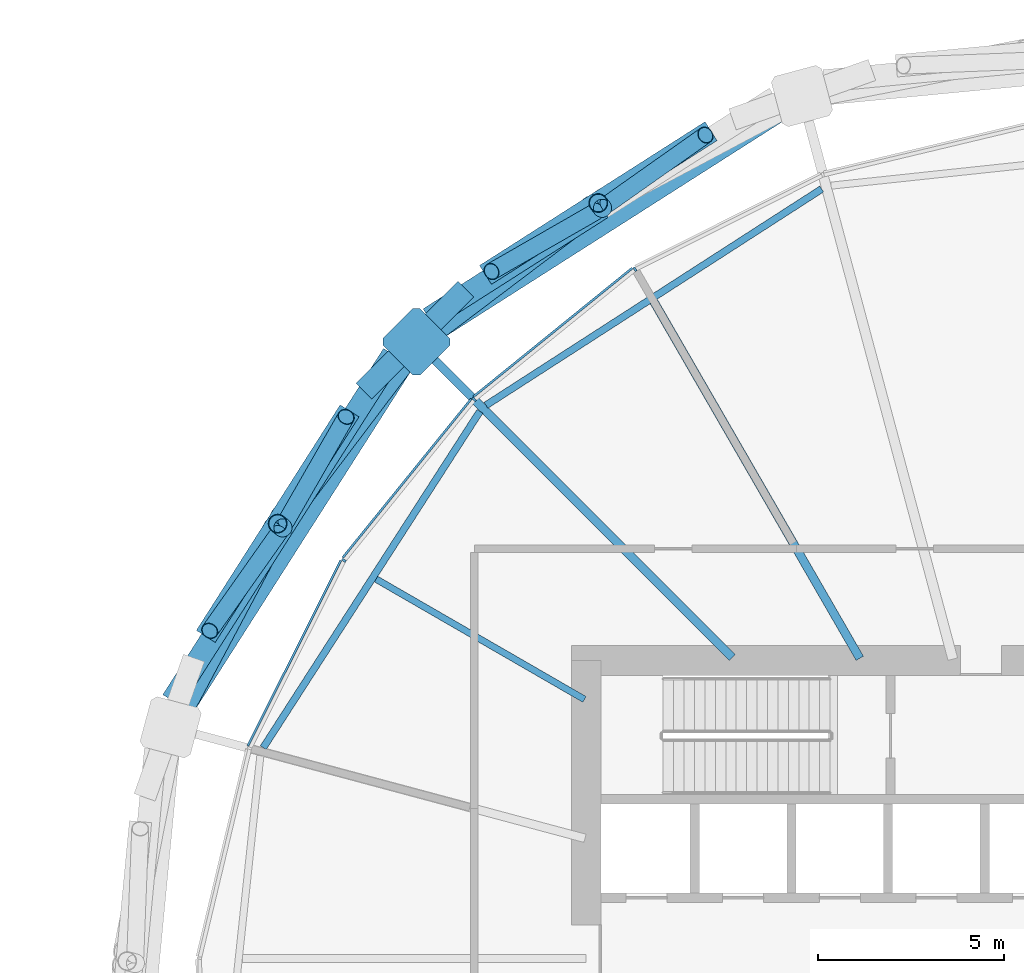
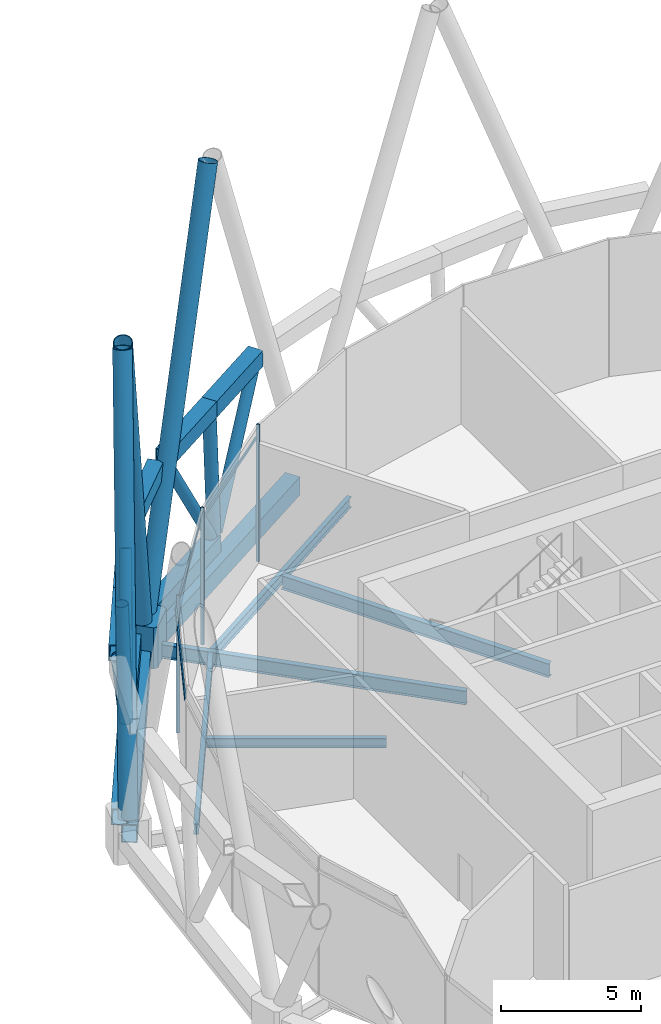
# One storey, part 21 of 33: 24 members, 7 beams, 1 element without a shape of its own.
"""IFC4 building model written with IfcOpenShell, lengths in metres."""

from ifc_helpers import new_model, si_unit, direction, frame, origin, origin_2d, place, context, subcontext, project, spatial, polyline, rectangle, hollow_rectangle, hollow_circle, i_section, outline, extrude, material, material_profile, profile_set, type_object, element, aggregate, save


model = new_model("IFC4")

# Units and contexts
model_context = context("Model", 3, precision=1e-05, world=origin(), true_north=direction((0.0, 1.0)))
body_context = subcontext(model_context, "Body", "Model", "MODEL_VIEW")
ifc_project = project(units=[si_unit("LENGTHUNIT", "METRE"), si_unit("AREAUNIT", "SQUARE_METRE"), si_unit("VOLUMEUNIT", "CUBIC_METRE"), si_unit("PLANEANGLEUNIT", "RADIAN"), si_unit("MASSUNIT", "GRAM", prefix="KILO")], contexts=[model_context])

# Site, building, storey
site_placement = place(None, origin())
site = spatial("IfcSite", under=ifc_project, at=site_placement, CompositionType="ELEMENT")
building_placement = place(site_placement, origin())
building = spatial("IfcBuilding", under=site, at=building_placement, Name="Rimbun Link Towers", CompositionType="ELEMENT")
storey_placement = place(building_placement, frame((0.0, 0.0, 75.60009765625)))
storey = spatial("IfcBuildingStorey", under=building, at=storey_placement, Name="L18", CompositionType="ELEMENT", Elevation=75.60009765625)

# Members
ifc_material_1 = material(Name="Steel S460N", Category="steel")
ifc_material_profile_1 = material_profile(ifc_material_1, hollow_rectangle(XDim=0.60009765625, YDim=0.699951171875, WallThickness=0.034912109375, at=origin_2d()), Name="Belt truss chord BOX 600x700x35")
ifc_profile_set_1 = profile_set([ifc_material_profile_1], Name="Steel S460N")
member_type_1 = type_object("IfcMemberType", Name="Belt truss chord BOX 600x700x35", PredefinedType="CHORD", material=ifc_profile_set_1)
member_1_placement = place(storey_placement, frame((16.5185546875, 17.968505859375, 6.0), z_axis=(-0.707106781187, -0.707106781187, 0.0), x_axis=(0.707106781187, -0.707106781187, 0.0)))
element("IfcMember", 1, at=member_1_placement, inside=storey, type_object=member_type_1, Name="Belt truss chord T2 L18 top 03", PredefinedType="CHORD", context=body_context, shape_type="SweptSolid", body=[
    extrude(hollow_rectangle(XDim=0.60009765625, YDim=0.699951171875, WallThickness=0.034912109375, at=origin_2d()), origin(), (0.0, 0.0, 1.0), 3.870849609375),
])
member_2_placement = place(storey_placement, frame((20.1806640625, 20.15234375, 0.18994140625), z_axis=(-0.843258306899, -0.537508537463, 0.0), x_axis=(0.537508537463, -0.843258306899, 0.0)))
element("IfcMember", 2, at=member_2_placement, inside=storey, type_object=member_type_1, Name="Belt truss chord T2 L18 bottom 05", PredefinedType="CHORD", context=body_context, shape_type="SweptSolid", body=[
    extrude(hollow_rectangle(XDim=0.60009765625, YDim=0.699951171875, WallThickness=0.034912109375, at=origin_2d()), origin(), (0.0, 0.0, 1.0), 5.513671875),
])
for number, where, z_axis, x_axis, name in (
    (3, (23.10400390625, 22.21484375, 6.0), (-0.843244145842, -0.537530753077, 0.0), (0.537530753077, -0.843244145842, 0.0), "Belt truss chord T2 L18 top 16"),
    (4, (20.07568359375, 20.284423828125, 6.0), (-0.843244145842, -0.537530753077, 0.0), (0.537530753077, -0.843244145842, 0.0), "Belt truss chord T2 L18 top 17"),
):
    element("IfcMember", number, at=place(storey_placement, frame(where, z_axis=z_axis, x_axis=x_axis)), inside=storey, type_object=member_type_1, Name=name, PredefinedType="CHORD", context=body_context, shape_type="SweptSolid", body=[
        extrude(hollow_rectangle(XDim=0.60009765625, YDim=0.699951171875, WallThickness=0.034912109375, at=origin_2d()), origin(), (0.0, 0.0, 1.0), 3.59130859375),
    ])
for number, where, z_axis, x_axis, name in (
    (5, (14.561279296875, 16.21875, 0.18994140625), (-0.537508537463, -0.843258306899, 0.0), (0.843258306899, -0.537508537463, 0.0), "Belt truss chord T2 L18 bottom 06"),
    (6, (11.59765625, 11.5693359375, 0.18994140625), (-0.537560093657, -0.843225441805, 0.0), (0.843225441805, -0.537560093657, 0.0), "Belt truss chord T2 L18 bottom 07"),
):
    element("IfcMember", number, at=place(storey_placement, frame(where, z_axis=z_axis, x_axis=x_axis)), inside=storey, type_object=member_type_1, Name=name, PredefinedType="CHORD", context=body_context, shape_type="SweptSolid", body=[
        extrude(hollow_rectangle(XDim=0.60009765625, YDim=0.699951171875, WallThickness=0.034912109375, at=origin_2d()), origin(), (0.0, 0.0, 1.0), 5.513671875),
    ])
for number, where, z_axis, x_axis, name in (
    (7, (13.39599609375, 14.70263671875, 6.0), (-0.537530753077, -0.843244145842, 0.0), (0.843244145842, -0.537530753077, 0.0), "Belt truss chord T2 L18 top 18"),
    (8, (11.465576171875, 11.67431640625, 6.0), (-0.537530753077, -0.843244145842, 0.0), (0.843244145842, -0.537530753077, 0.0), "Belt truss chord T2 L18 top 19"),
):
    element("IfcMember", number, at=place(storey_placement, frame(where, z_axis=z_axis, x_axis=x_axis)), inside=storey, type_object=member_type_1, Name=name, PredefinedType="CHORD", context=body_context, shape_type="SweptSolid", body=[
        extrude(hollow_rectangle(XDim=0.60009765625, YDim=0.699951171875, WallThickness=0.034912109375, at=origin_2d()), origin(), (0.0, 0.0, 1.0), 3.59130859375),
    ])
ifc_material_2 = material(Name="Steel S355J2H", Category="steel")
ifc_material_profile_2 = material_profile(ifc_material_2, hollow_circle(Radius=0.228515625, WallThickness=0.01611328125, at=origin_2d()), Name="Belt truss diagonal CHS 457x16")
ifc_profile_set_2 = profile_set([ifc_material_profile_2], Name="Steel S355J2H")
member_type_2 = type_object("IfcMemberType", Name="Belt truss diagonal CHS 457x16", PredefinedType="BRACE", material=ifc_profile_set_2)
member_3_placement = place(storey_placement, frame((20.33056640625, 20.25830078125, 0.48779296875), z_axis=(0.428452563968, 0.302221332112, 0.851522558037), x_axis=(-0.57640849577, 0.817161701259, 0.0)))
element("IfcMember", 9, at=member_3_placement, inside=storey, type_object=member_type_2, Name="Belt truss diagonal T2 L18 04", PredefinedType="BRACE", context=body_context, shape_type="SweptSolid", body=[
    extrude(hollow_circle(Radius=0.228515625, WallThickness=0.01611328125, at=origin_2d()), origin(), (0.0, 0.0, 1.0), 6.123291015625),
])
for number, where, z_axis, x_axis, name in (
    (10, (20.020263671875, 20.060302734375, 0.487060546875), (-0.457975445201, -0.262875758972, 0.849208353079), (0.497816141183, -0.867282589228, 0.0), "Belt truss diagonal T2 L18 05"),
    (11, (11.689697265625, 11.729736328125, 0.487060546875), (0.262875758972, 0.457975445201, 0.849208353079), (-0.867282589228, 0.497816141183, 0.0), "Belt truss diagonal T2 L18 06"),
):
    element("IfcMember", number, at=place(storey_placement, frame(where, z_axis=z_axis, x_axis=x_axis)), inside=storey, type_object=member_type_2, Name=name, PredefinedType="BRACE", context=body_context, shape_type="SweptSolid", body=[
        extrude(hollow_circle(Radius=0.228515625, WallThickness=0.01611328125, at=origin_2d()), origin(), (0.0, 0.0, 1.0), 6.1416015625),
    ])
member_4_placement = place(storey_placement, frame((11.49169921875, 11.41943359375, 0.48779296875), z_axis=(-0.302221332112, -0.428452563968, 0.851522558037), x_axis=(0.817161701259, -0.57640849577, 0.0)))
element("IfcMember", 12, at=member_4_placement, inside=storey, type_object=member_type_2, Name="Belt truss diagonal T2 L18 07", PredefinedType="BRACE", context=body_context, shape_type="SweptSolid", body=[
    extrude(hollow_circle(Radius=0.228515625, WallThickness=0.01611328125, at=origin_2d()), origin(), (0.0, 0.0, 1.0), 6.123291015625),
])
ifc_material_3 = material(Name="Steel S355J2H", Category="steel")
ifc_material_profile_3 = material_profile(ifc_material_3, hollow_circle(Radius=0.25390625, WallThickness=0.02001953125, at=origin_2d()), Name="Belt truss strut CHS 508x20")
ifc_profile_set_3 = profile_set([ifc_material_profile_3], Name="Steel S355J2H")
member_type_3 = type_object("IfcMemberType", Name="Belt truss strut CHS 508x20", PredefinedType="STRUT", material=ifc_profile_set_3)
for number, where, z_axis, x_axis, name in (
    (13, (20.1806640625, 20.15234375, 0.539794921875), (-0.020532502964, 0.025832753729, 0.999455394281), (-0.782841327682, -0.622221387991, 0.0), "Belt truss strut T2 L18 02"),
    (14, (11.59765625, 11.5693359375, 0.539794921875), (-0.025832753729, 0.020532502964, 0.999455394281), (-0.622221387991, -0.782841327682, 0.0), "Belt truss strut T2 L18 03"),
):
    element("IfcMember", number, at=place(storey_placement, frame(where, z_axis=z_axis, x_axis=x_axis)), inside=storey, type_object=member_type_3, Name=name, PredefinedType="STRUT", context=body_context, shape_type="SweptSolid", body=[
        extrude(hollow_circle(Radius=0.25390625, WallThickness=0.02001953125, at=origin_2d()), origin(), (0.0, 0.0, 1.0), 5.11279296875),
    ])

# Curtain wall, members
ifc_material_4 = material(Name="Aluminium 6063-T6 louvre wall", Category="aluminium")
curtain_wall_type = type_object("IfcCurtainWallType", Name="CW6 plant floor louvre wall", PredefinedType="NOTDEFINED", material=ifc_material_4)
curtain_wall_placement = place(storey_placement, origin())
curtain_wall = element("IfcCurtainWall", 15, at=curtain_wall_placement, inside=storey, type_object=curtain_wall_type, Name="CW6 L18 T2", PredefinedType="NOTDEFINED")
ifc_material_5 = material(Name="Aluminium 6063-T6", Category="aluminium")
ifc_material_profile_4 = material_profile(ifc_material_5, rectangle(XDim=0.1201171875, YDim=0.06005859375, at=origin_2d()), Name="MULLION 60X120")
ifc_profile_set_4 = profile_set([ifc_material_profile_4], Name="Aluminium 6063-T6")
member_type_4 = type_object("IfcMemberType", Name="CW6 mullion 60X120", PredefinedType="MULLION", material=ifc_profile_set_4)
member_5_placement = place(storey_placement, frame((21.061767578125, 18.506591796875, 0.0), z_axis=(0.0, 0.0, 1.0), x_axis=(-0.542105566875, 0.840310391678, 0.0)))
member_5 = element("IfcMember", 16, at=member_5_placement, type_object=member_type_4, Name="CW6 mullion", PredefinedType="MULLION", context=body_context, shape_type="SweptSolid", body=[
    extrude(rectangle(XDim=0.1201171875, YDim=0.06005859375, at=origin_2d()), origin(), (0.0, 0.0, 1.0), 6.0),
])
member_6_placement = place(storey_placement, frame((16.740966796875, 15.009033203125, 0.0), z_axis=(0.0, 0.0, 1.0), x_axis=(-0.707106781187, 0.707106781187, 0.0)))
member_6 = element("IfcMember", 17, at=member_6_placement, type_object=member_type_4, Name="CW6 mullion", PredefinedType="MULLION", context=body_context, shape_type="SweptSolid", body=[
    extrude(rectangle(XDim=0.1201171875, YDim=0.06005859375, at=origin_2d()), origin(), (0.0, 0.0, 1.0), 6.0),
])
member_7_placement = place(storey_placement, frame((13.243408203125, 10.688232421875, 0.0), z_axis=(0.0, 0.0, 1.0), x_axis=(-0.840310391678, 0.542105566875, 0.0)))
member_7 = element("IfcMember", 18, at=member_7_placement, type_object=member_type_4, Name="CW6 mullion", PredefinedType="MULLION", context=body_context, shape_type="SweptSolid", body=[
    extrude(rectangle(XDim=0.1201171875, YDim=0.06005859375, at=origin_2d()), origin(), (0.0, 0.0, 1.0), 6.0),
])
ifc_material_6 = material(Name="Aluminium 6063-T6", Category="aluminium")
ifc_material_profile_5 = material_profile(ifc_material_6, rectangle(XDim=0.06005859375, YDim=0.1201171875, at=origin_2d()), Name="TRANSOM 60X120")
ifc_profile_set_5 = profile_set([ifc_material_profile_5], Name="Aluminium 6063-T6")
member_type_5 = type_object("IfcMemberType", Name="CW6 transom 60X120", PredefinedType="USERDEFINED", material=ifc_profile_set_5)
member_8_placement = place(storey_placement, frame((16.724853515625, 15.08642578125, 5.39990234375), z_axis=(0.777265595889, 0.629172626111, 0.0), x_axis=(-0.629172626111, 0.777265595889, 0.0)))
member_8 = element("IfcMember", 19, at=member_8_placement, type_object=member_type_5, Name="CW6 transom", ObjectType="TRANSOM", PredefinedType="USERDEFINED", context=body_context, shape_type="SweptSolid", body=[
    extrude(rectangle(XDim=0.06005859375, YDim=0.1201171875, at=origin_2d()), origin(), (0.0, 0.0, 1.0), 5.486328125),
])
member_9_placement = place(storey_placement, frame((13.211669921875, 10.7607421875, 5.39990234375), z_axis=(0.629172626111, 0.777265595889, 0.0), x_axis=(-0.777265595889, 0.629172626111, 0.0)))
member_9 = element("IfcMember", 20, at=member_9_placement, type_object=member_type_5, Name="CW6 transom", ObjectType="TRANSOM", PredefinedType="USERDEFINED", context=body_context, shape_type="SweptSolid", body=[
    extrude(rectangle(XDim=0.06005859375, YDim=0.1201171875, at=origin_2d()), origin(), (0.0, 0.0, 1.0), 5.486328125),
])
member_10_placement = place(storey_placement, frame((10.66357421875, 5.707763671875, 5.39990234375), z_axis=(0.448807788687, 0.893628316927, 0.0), x_axis=(-0.893628316927, 0.448807788687, 0.0)))
member_10 = element("IfcMember", 21, at=member_10_placement, type_object=member_type_5, Name="CW6 transom", ObjectType="TRANSOM", PredefinedType="USERDEFINED", context=body_context, shape_type="SweptSolid", body=[
    extrude(rectangle(XDim=0.06005859375, YDim=0.1201171875, at=origin_2d()), origin(), (0.0, 0.0, 1.0), 5.572021484375),
])
aggregate(curtain_wall, [member_5, member_6, member_7, member_8, member_9, member_10])

# Members
ifc_material_7 = material(Name="Steel S460NH", Category="steel")
ifc_material_profile_6 = material_profile(ifc_material_7, hollow_circle(Radius=0.355712890625, WallThickness=0.031982421875, at=origin_2d()), Name="Diagrid diagonal CHS 711x32")
ifc_profile_set_6 = profile_set([ifc_material_profile_6], Name="Steel S460NH")
member_type_6 = type_object("IfcMemberType", Name="Diagrid diagonal CHS 711x32", PredefinedType="BRACE", material=ifc_profile_set_6)
for number, where, z_axis, x_axis, name in (
    (22, (15.324462890625, 16.657470703125, 0.4716796875), (0.264203737455, 0.199685615916, 0.94356877858), (-0.602958053139, 0.797772891339, 0.0), "Diagrid diagonal T2 L18-L22 06a"),
    (23, (15.092529296875, 16.425537109375, 0.4716796875), (-0.199685615916, -0.264203737455, 0.94356877858), (0.797772891339, -0.602958053139, 0.0), "Diagrid diagonal T2 L18-L22 06b"),
):
    element("IfcMember", number, at=place(storey_placement, frame(where, z_axis=z_axis, x_axis=x_axis)), inside=storey, type_object=member_type_6, Name=name, PredefinedType="BRACE", context=body_context, shape_type="SweptSolid", body=[
        extrude(hollow_circle(Radius=0.355712890625, WallThickness=0.031982421875, at=origin_2d()), origin(), (0.0, 0.0, 1.0), 17.440673828125),
    ])
member_11_placement = place(storey_placement, frame((8.671875, 6.353271484375, 0.470703125), z_axis=(0.157902640468, 0.296650748987, 0.941841329131), x_axis=(-0.882737024901, 0.469867369445, 0.0)))
element("IfcMember", 24, at=member_11_placement, inside=storey, type_object=member_type_6, Name="Diagrid diagonal T2 L18-L22 08a", PredefinedType="BRACE", context=body_context, shape_type="SweptSolid", body=[
    extrude(hollow_circle(Radius=0.355712890625, WallThickness=0.031982421875, at=origin_2d()), origin(), (0.0, 0.0, 1.0), 17.474609375),
])
ifc_material_8 = material(Name="Cast steel G20Mn5+QT, Rp0.2 300 MPa", Category="steel")
ifc_material_profile_7 = material_profile(ifc_material_8, outline(polyline([(0.699951171875, -0.570068359375), (0.699951171875, 0.570068359375), (0.570068359375, 0.699951171875), (-0.570068359375, 0.699951171875), (-0.699951171875, 0.570068359375), (-0.699951171875, -0.570068359375), (-0.570068359375, -0.699951171875), (0.570068359375, -0.699951171875), (0.699951171875, -0.570068359375)])), Name="NODE 1400x1400")
ifc_profile_set_7 = profile_set([ifc_material_profile_7], Name="Cast steel G20Mn5+QT, Rp0.2 300 MPa")
member_type_7 = type_object("IfcMemberType", Name="Diagrid node cast 1400", PredefinedType="USERDEFINED", material=ifc_profile_set_7)
member_12_placement = place(storey_placement, frame((15.1923828125, 16.5576171875, -0.900146484375), z_axis=(0.0, 0.0, 1.0), x_axis=(-0.707106781187, 0.707106781187, 0.0)))
element("IfcMember", 25, at=member_12_placement, inside=storey, type_object=member_type_7, Name="Diagrid node L18 06", ObjectType="Diagrid node", PredefinedType="USERDEFINED", context=body_context, shape_type="SweptSolid", body=[
    extrude(outline(polyline([(0.699951171875, -0.570068359375), (0.699951171875, 0.570068359375), (0.570068359375, 0.699951171875), (-0.570068359375, 0.699951171875), (-0.699951171875, 0.570068359375), (-0.699951171875, -0.570068359375), (-0.570068359375, -0.699951171875), (0.570068359375, -0.699951171875), (0.699951171875, -0.570068359375)])), origin(), (0.0, 0.0, 1.0), 1.800048828125),
])

# Beams
ifc_material_9 = material(Name="Steel S355J2", Category="steel")
ifc_material_profile_8 = material_profile(ifc_material_9, hollow_rectangle(XDim=0.60009765625, YDim=0.800048828125, WallThickness=0.0400390625, at=origin_2d()), Name="Exoskeleton ring girder BOX 600x800x40")
ifc_profile_set_8 = profile_set([ifc_material_profile_8], Name="Steel S355J2")
beam_type_1 = type_object("IfcBeamType", Name="Exoskeleton ring girder BOX 600x800x40", PredefinedType="BEAM", material=ifc_profile_set_8)
for number, where, z_axis, x_axis, name in (
    (26, (24.954833984375, 22.78076171875, -0.56005859375), (-0.843239788126, -0.537537589125, 0.0), (0.537537589125, -0.843239788126, 0.0), "Exoskeleton ring girder L18 02"),
    (27, (14.816162109375, 15.96728515625, -0.56005859375), (-0.537537589125, -0.843239788126, 0.0), (0.843239788126, -0.537537589125, 0.0), "Exoskeleton ring girder L18 03"),
):
    element("IfcBeam", number, at=place(storey_placement, frame(where, z_axis=z_axis, x_axis=x_axis)), inside=storey, type_object=beam_type_1, Name=name, PredefinedType="BEAM", context=body_context, shape_type="SweptSolid", body=[
        extrude(hollow_rectangle(XDim=0.60009765625, YDim=0.800048828125, WallThickness=0.0400390625, at=origin_2d()), origin(), (0.0, 0.0, 1.0), 10.877197265625),
    ])
ifc_material_10 = material(Name="Steel S355J2", Category="steel")
ifc_material_profile_9 = material_profile(ifc_material_10, i_section(OverallWidth=0.177978515625, OverallDepth=0.406494140625, WebThickness=0.0078125, FlangeThickness=0.0126953125, at=origin_2d()), Name="UB 406x178x60")
ifc_profile_set_9 = profile_set([ifc_material_profile_9], Name="Steel S355J2")
beam_type_2 = type_object("IfcBeamType", Name="UB 406x178x60", PredefinedType="BEAM", material=ifc_profile_set_9)
beam_1_placement = place(storey_placement, frame((19.70458984375, 6.954345703125, -0.4033203125), z_axis=(-0.866013800117, 0.500020097603, 0.0), x_axis=(-0.500020097603, -0.866013800117, 0.0)))
element("IfcBeam", 28, at=beam_1_placement, inside=storey, type_object=beam_type_2, Name="Radial beam T2 L18 07", PredefinedType="BEAM", context=body_context, shape_type="SweptSolid", body=[
    extrude(i_section(OverallWidth=0.177978515625, OverallDepth=0.406494140625, WebThickness=0.0078125, FlangeThickness=0.0126953125, at=origin_2d()), origin(), (0.0, 0.0, 1.0), 6.461181640625),
])
ifc_material_11 = material(Name="Steel S355J2", Category="steel")
ifc_material_profile_10 = material_profile(ifc_material_11, i_section(OverallWidth=0.18994140625, OverallDepth=0.453369140625, WebThickness=0.008544921875, FlangeThickness=0.0126953125, at=origin_2d()), Name="UB 457x191x67")
ifc_profile_set_10 = profile_set([ifc_material_profile_10], Name="Steel S355J2")
beam_type_3 = type_object("IfcBeamType", Name="UB 457x191x67", PredefinedType="BEAM", material=ifc_profile_set_10)
beam_2_placement = place(storey_placement, frame((26.074951171875, 20.66064453125, -0.4267578125), z_axis=(-0.840630691548, -0.54160875217, 0.0), x_axis=(0.54160875217, -0.840630691548, 0.0)))
element("IfcBeam", 29, at=beam_2_placement, inside=storey, type_object=beam_type_3, Name="Edge beam T2 L18 04-06", PredefinedType="BEAM", context=body_context, shape_type="SweptSolid", body=[
    extrude(i_section(OverallWidth=0.18994140625, OverallDepth=0.453369140625, WebThickness=0.008544921875, FlangeThickness=0.0126953125, at=origin_2d()), origin(), (0.0, 0.0, 1.0), 10.724365234375),
])
beam_3_placement = place(storey_placement, frame((16.897705078125, 14.690185546875, -0.4267578125), z_axis=(-0.541612854748, -0.84062804829, 0.0), x_axis=(0.84062804829, -0.541612854748, 0.0)))
element("IfcBeam", 30, at=beam_3_placement, inside=storey, type_object=beam_type_3, Name="Edge beam T2 L18 06-08", PredefinedType="BEAM", context=body_context, shape_type="SweptSolid", body=[
    extrude(i_section(OverallWidth=0.18994140625, OverallDepth=0.453369140625, WebThickness=0.008544921875, FlangeThickness=0.0126953125, at=origin_2d()), origin(), (0.0, 0.0, 1.0), 10.744873046875),
])
ifc_material_12 = material(Name="Steel S355J2", Category="steel")
ifc_material_profile_11 = material_profile(ifc_material_12, i_section(OverallWidth=0.2275390625, OverallDepth=0.6025390625, WebThickness=0.010498046875, FlangeThickness=0.014892578125, at=origin_2d()), Name="UB 610x229x101")
ifc_profile_set_11 = profile_set([ifc_material_profile_11], Name="Steel S355J2")
beam_type_4 = type_object("IfcBeamType", Name="UB 610x229x101", PredefinedType="BEAM", material=ifc_profile_set_11)
beam_4_placement = place(storey_placement, frame((27.097900390625, 8.057861328125, -0.50146484375), z_axis=(-0.50001401933, 0.866017309569, 0.0), x_axis=(-0.866017309569, -0.50001401933, 0.0)))
element("IfcBeam", 31, at=beam_4_placement, inside=storey, type_object=beam_type_4, Name="Radial beam T2 L18 05", PredefinedType="BEAM", context=body_context, shape_type="SweptSolid", body=[
    extrude(i_section(OverallWidth=0.2275390625, OverallDepth=0.6025390625, WebThickness=0.010498046875, FlangeThickness=0.014892578125, at=origin_2d()), origin(), (0.0, 0.0, 1.0), 11.065673828125),
])
beam_5_placement = place(storey_placement, frame((23.668701171875, 8.081298828125, -0.50146484375), z_axis=(-0.707106781187, 0.707106781187, 0.0), x_axis=(-0.707106781187, -0.707106781187, 0.0)))
element("IfcBeam", 32, at=beam_5_placement, inside=storey, type_object=beam_type_4, Name="Radial beam T2 L18 06", PredefinedType="BEAM", context=body_context, shape_type="SweptSolid", body=[
    extrude(i_section(OverallWidth=0.2275390625, OverallDepth=0.6025390625, WebThickness=0.010498046875, FlangeThickness=0.014892578125, at=origin_2d()), origin(), (0.0, 0.0, 1.0), 11.4873046875),
])

save(model, "model.ifc")
